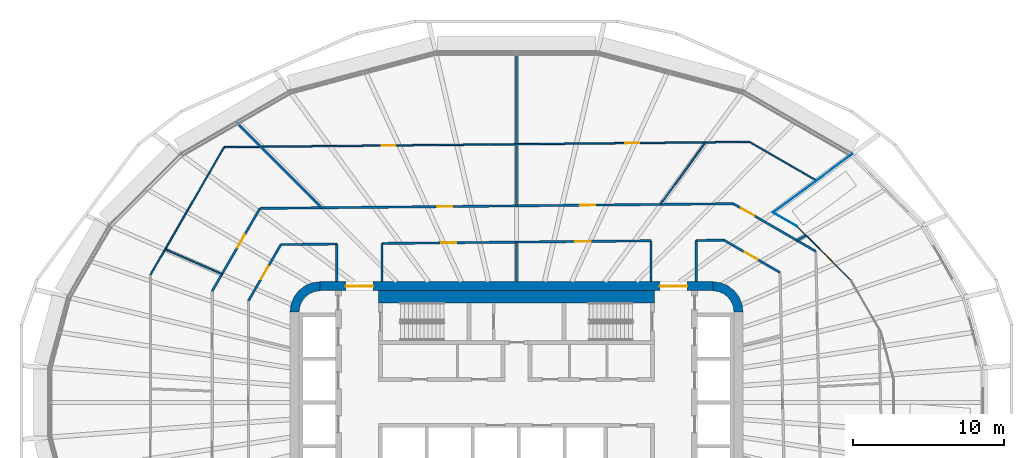
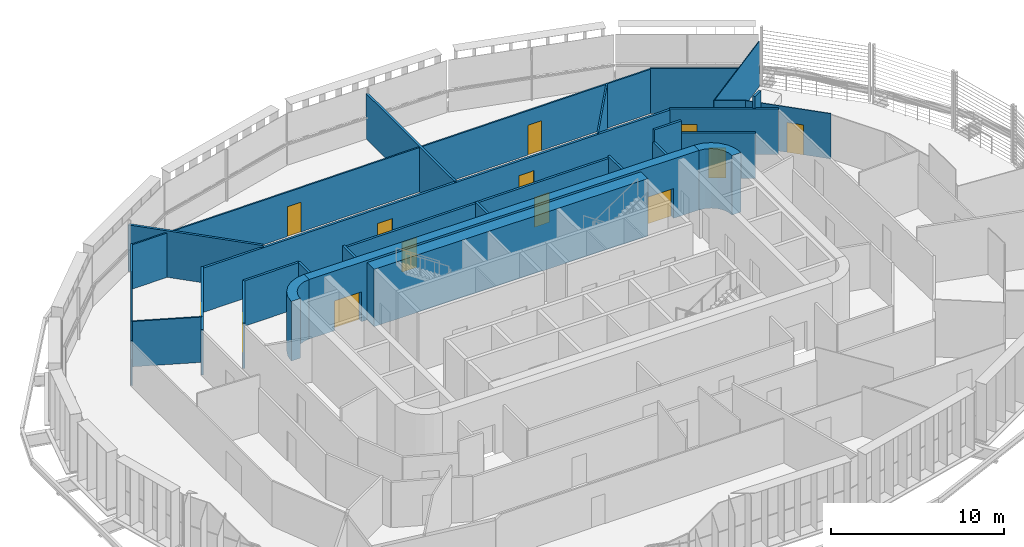
# One storey, part 16 of 24: 28 walls, 13 doors, 13 openings.
"""IFC4 building model written with IfcOpenShell, lengths in metres."""

import ifcopenshell
import ifcopenshell.guid

model = None  # the IFC model being written
_history = None  # IfcOwnerHistory: only IFC2X3 demands one
_inside = {}  # id of a spatial element -> (the spatial element, [elements in it])
_under = {}  # id of a project, library or spatial element -> (it, [spatial elements below it])
_declared = {}  # id of a project -> (the project, [libraries it declares])
_typed = {}  # id of a type object -> (the type object, [elements of that type])
_made_of = {}  # id of a material, layer set ... -> (it, [elements and type objects made of it])


def new_model(schema):
    """Start an empty IFC model of exactly this schema.

    Asked for "IFC4X3", IfcOpenShell would pick the latest addendum, in which some entities
    have other attributes; the version numbers below select the first issue.
    IFC2X3 requires an IfcOwnerHistory on every rooted entity: one is made here for all.
    """
    global model, _history
    if schema == "IFC4X3":
        model = ifcopenshell.file(schema_version=(4, 3, 0, 0))
    else:
        model = ifcopenshell.file(schema=schema)
    _inside.clear()
    _under.clear()
    _declared.clear()
    _typed.clear()
    _made_of.clear()
    _history = None
    if model.schema == "IFC2X3":
        org = make("IfcOrganization", Name="unknown")
        user = make(
            "IfcPersonAndOrganization",
            ThePerson=make("IfcPerson", FamilyName="unknown"),
            TheOrganization=org,
        )
        app = make(
            "IfcApplication",
            ApplicationDeveloper=org,
            Version="unknown",
            ApplicationFullName="unknown",
            ApplicationIdentifier="unknown",
        )
        _history = make(
            "IfcOwnerHistory",
            OwningUser=user,
            OwningApplication=app,
            ChangeAction="ADDED",
            CreationDate=0,
        )
    return model


def make(cls, **values):
    """One entity of the class cls with the attributes given. An attribute that is None is left unset."""
    return model.create_entity(
        cls, **{name: value for name, value in values.items() if value is not None}
    )


def rooted(cls, **values):
    """An entity with a GlobalId (a new one), such as an element, a storey or a relation."""
    return make(cls, GlobalId=ifcopenshell.guid.new(), OwnerHistory=_history, **values)


def si_unit(unit_type, name, prefix=None):
    """IfcSIUnit, for example si_unit("LENGTHUNIT", "METRE", prefix="MILLI")."""
    return make("IfcSIUnit", UnitType=unit_type, Prefix=prefix, Name=name)


def assignment(units):
    """IfcUnitAssignment: the units of a project."""
    return None if units is None else make("IfcUnitAssignment", Units=units)


def point(xyz):
    """IfcCartesianPoint."""
    return None if xyz is None else make("IfcCartesianPoint", Coordinates=xyz)


def direction(xyz):
    """IfcDirection."""
    return None if xyz is None else make("IfcDirection", DirectionRatios=xyz)


def frame(location, z_axis=None, x_axis=None):
    """IfcAxis2Placement3D, a coordinate frame: its origin and axes. An axis left out is left unset."""
    return make(
        "IfcAxis2Placement3D",
        Location=point(location),
        Axis=direction(z_axis),
        RefDirection=direction(x_axis),
    )


def frame_2d(location, x_axis=None):
    """IfcAxis2Placement2D, a coordinate frame in the plane: its origin and x axis."""
    return make(
        "IfcAxis2Placement2D", Location=point(location), RefDirection=direction(x_axis)
    )


def origin():
    """The frame at (0, 0, 0) with its axes left unset."""
    return frame((0.0, 0.0, 0.0))


def place(relative_to, where):
    """IfcLocalPlacement: puts the frame where relative to a parent placement (None: the world)."""
    return make(
        "IfcLocalPlacement", PlacementRelTo=relative_to, RelativePlacement=where
    )


def context(
    kind, dimensions, precision=None, world=None, true_north=None, identifier=None
):
    """IfcGeometricRepresentationContext, for example the 3D "Model" context."""
    return make(
        "IfcGeometricRepresentationContext",
        ContextIdentifier=identifier,
        ContextType=kind,
        CoordinateSpaceDimension=dimensions,
        Precision=precision,
        WorldCoordinateSystem=world,
        TrueNorth=true_north,
    )


def subcontext(parent, identifier, kind, view, scale=None):
    """IfcGeometricRepresentationSubContext, for example "Body" below "Model"."""
    return make(
        "IfcGeometricRepresentationSubContext",
        ContextIdentifier=identifier,
        ContextType=kind,
        ParentContext=parent,
        TargetScale=scale,
        TargetView=view,
    )


def project(units=None, contexts=None):
    """IfcProject with its units and contexts."""
    return rooted(
        "IfcProject",
        Name="project",
        RepresentationContexts=contexts,
        UnitsInContext=assignment(units),
    )


def spatial(cls, under=None, at=None, **own):
    """A site, building, storey or space (cls), placed at a placement, below another one or the project."""
    s = rooted(cls, ObjectPlacement=at, **own)
    if under is not None:
        _under.setdefault(under.id(), (under, []))[1].append(s)
    return s


def polyline(points):
    """IfcPolyline through the points."""
    return make("IfcPolyline", Points=[point(p) for p in points])


def profile(cls, at=None, kind="AREA", **sizes):
    """A parametric profile (cls). Its sizes go by their IFC names, for example OverallWidth=200.0."""
    return make(cls, ProfileType=kind, Position=at, **sizes)


def rectangle(**sizes):
    """IfcRectangleProfileDef."""
    return profile("IfcRectangleProfileDef", **sizes)


def outline(outer, holes=None, kind="AREA"):
    """IfcArbitraryClosedProfileDef: a profile drawn as a closed curve; with holes, ...WithVoids."""
    if holes is None:
        return make("IfcArbitraryClosedProfileDef", ProfileType=kind, OuterCurve=outer)
    return make(
        "IfcArbitraryProfileDefWithVoids",
        ProfileType=kind,
        OuterCurve=outer,
        InnerCurves=holes,
    )


def extrude(swept, where, along, depth):
    """IfcExtrudedAreaSolid: the profile swept, set in the frame where, extruded along a direction by depth."""
    return make(
        "IfcExtrudedAreaSolid",
        SweptArea=swept,
        Position=where,
        ExtrudedDirection=direction(along),
        Depth=depth,
    )


def shape(context_of_items, identifier, shape_type, items):
    """IfcShapeRepresentation: the items that make up one representation, for example the "Body"."""
    return make(
        "IfcShapeRepresentation",
        ContextOfItems=context_of_items,
        RepresentationIdentifier=identifier,
        RepresentationType=shape_type,
        Items=items,
    )


def material(Name=None, Category=None):
    """IfcMaterial."""
    return make("IfcMaterial", Name=Name, Category=Category)


def layer(
    of_material, thickness, ventilated=None, Name=None, Category=None, Priority=None
):
    """IfcMaterialLayer: one layer of a wall or slab, of a material (None: an air gap)."""
    return make(
        "IfcMaterialLayer",
        Material=of_material,
        LayerThickness=thickness,
        IsVentilated=ventilated,
        Name=Name,
        Category=Category,
        Priority=Priority,
    )


def layer_set(layers, Name=None):
    """IfcMaterialLayerSet."""
    return make("IfcMaterialLayerSet", MaterialLayers=layers, LayerSetName=Name)


def made_of(thing, what):
    """Note that an element or type object is made of a material, layer set ...; save() writes the relation."""
    if what is not None:
        _made_of.setdefault(what.id(), (what, []))[1].append(thing)
    return thing


def type_object(cls, material=None, **own):
    """A type object (cls), such as IfcWallType, which elements share."""
    return made_of(rooted(cls, **own), material)


def element(
    cls,
    number,
    at=None,
    inside=None,
    cuts=None,
    type_object=None,
    material=None,
    context=None,
    identifier="Body",
    shape_type=None,
    held_by="IfcProductDefinitionShape",
    body=None,
    shapes=None,
    **own,
):
    """One element of the class cls, such as IfcWall. Its Tag is "e" and its number.

    at: its placement. inside: the storey or other place that contains it. cuts: it is an
    opening in that element (IfcRelVoidsElement). A single representation is given by context,
    identifier, shape_type and body (its items); several are given by shapes. held_by: the class
    of the entity that holds the representations. save() writes the other relations.
    """
    e = rooted(cls, Tag="e%d" % number, ObjectPlacement=at, **own)
    if body is not None:
        shapes = [shape(context, identifier, shape_type, body)]
    if shapes is not None:
        e.Representation = make(held_by, Representations=shapes)
    if inside is not None:
        _inside.setdefault(inside.id(), (inside, []))[1].append(e)
    if cuts is not None:
        rooted(
            "IfcRelVoidsElement", RelatingBuildingElement=cuts, RelatedOpeningElement=e
        )
    if type_object is not None:
        _typed.setdefault(type_object.id(), (type_object, []))[1].append(e)
    return made_of(e, material)


def fill(opening, filler):
    """IfcRelFillsElement: the door or window that sits in an opening."""
    return rooted(
        "IfcRelFillsElement",
        RelatingOpeningElement=opening,
        RelatedBuildingElement=filler,
    )


def aggregate(whole, parts):
    """IfcRelAggregates: a whole, such as a stair, and the parts it consists of."""
    return rooted("IfcRelAggregates", RelatingObject=whole, RelatedObjects=parts)


def save(model, path):
    """Write the relations noted so far, then the file.

    IfcRelAggregates (storeys below a building ...), IfcRelContainedInSpatialStructure (elements
    in a storey), IfcRelDefinesByType, IfcRelAssociatesMaterial and IfcRelDeclares: one each for
    every whole, place, type object, material and project.
    """
    for whole, parts in _under.values():
        aggregate(whole, parts)
    for where, things in _inside.values():
        rooted(
            "IfcRelContainedInSpatialStructure",
            RelatedElements=things,
            RelatingStructure=where,
        )
    for kind, things in _typed.values():
        rooted("IfcRelDefinesByType", RelatedObjects=things, RelatingType=kind)
    for what, things in _made_of.values():
        rooted("IfcRelAssociatesMaterial", RelatedObjects=things, RelatingMaterial=what)
    for by, libraries in _declared.values():
        rooted("IfcRelDeclares", RelatingContext=by, RelatedDefinitions=libraries)
    model.write(path)


model = new_model("IFC4")

# Units and contexts
model_context = context("Model", 3, precision=1e-05, world=origin(), true_north=direction((0.0, 1.0)))
body_context = subcontext(model_context, "Body", "Model", "MODEL_VIEW")
ifc_project = project(units=[si_unit("LENGTHUNIT", "METRE"), si_unit("AREAUNIT", "SQUARE_METRE"), si_unit("VOLUMEUNIT", "CUBIC_METRE"), si_unit("PLANEANGLEUNIT", "RADIAN"), si_unit("MASSUNIT", "GRAM", prefix="KILO")], contexts=[model_context])

# Site, building, storey
site_placement = place(None, origin())
site = spatial("IfcSite", under=ifc_project, at=site_placement, CompositionType="ELEMENT")
building_placement = place(site_placement, origin())
building = spatial("IfcBuilding", under=site, at=building_placement, Name="Sahrelin Media Tower", CompositionType="ELEMENT")
storey_placement = place(building_placement, frame((0.0, 0.0, 67.199951171875)))
storey = spatial("IfcBuildingStorey", under=building, at=storey_placement, Name="L11", CompositionType="ELEMENT", Elevation=67.199951171875)

# Wall, openings, doors
ifc_material_1 = material(Name="Concrete C60/75", Category="concrete")
ifc_layer_1 = layer(ifc_material_1, 0.60009765625)
ifc_layer_set_1 = layer_set([ifc_layer_1], Name="Core wall 600")
wall_type_1 = type_object("IfcWallType", Name="Core wall 600", PredefinedType="SHEAR", material=ifc_layer_set_1)
wall_1_placement = place(storey_placement, frame((-13.0, 7.699951171875, 0.0), z_axis=(0.0, 0.0, 1.0), x_axis=(1.0, 0.0, 0.0)))
wall_1 = element("IfcWall", 1, at=wall_1_placement, inside=storey, type_object=wall_type_1, Name="Core wall N L11", PredefinedType="SHEAR", context=body_context, shape_type="SweptSolid", body=[
    extrude(rectangle(XDim=26.0, YDim=0.60009765625, at=frame_2d((13.0, 0.0))), origin(), (0.0, 0.0, 1.0), 4.199951171875),
])
opening_1_placement = place(wall_1_placement, frame((1.699951171875, 0.0, 0.0)))
opening_1 = element("IfcOpeningElement", 2, at=opening_1_placement, cuts=wall_1, Name="Opening L11-D19", PredefinedType="OPENING", context=body_context, shape_type="SweptSolid", body=[
    extrude(rectangle(XDim=1.800048828125, YDim=2.10009765625, at=frame_2d((0.89990234375, 1.050048828125))), frame((0.0, 0.300048828125, 0.0), z_axis=(0.0, -1.0, 0.0), x_axis=(1.0, 0.0, 0.0)), (0.0, 0.0, 1.0), 0.60009765625),
])
opening_2_placement = place(wall_1_placement, frame((22.5, 0.0, 0.0)))
opening_2 = element("IfcOpeningElement", 3, at=opening_2_placement, cuts=wall_1, Name="Opening L11-D20", PredefinedType="OPENING", context=body_context, shape_type="SweptSolid", body=[
    extrude(rectangle(XDim=1.800048828125, YDim=2.10009765625, at=frame_2d((0.89990234375, 1.050048828125))), frame((0.0, 0.300048828125, 0.0), z_axis=(0.0, -1.0, 0.0), x_axis=(1.0, 0.0, 0.0)), (0.0, 0.0, 1.0), 0.60009765625),
])
ifc_material_2 = material(Name="Steel fire door leaf", Category="steel")
door_type_1 = type_object("IfcDoorType", Name="Lobby double door 1800 x 2100 EI 60", OperationType="DOUBLE_DOOR_SINGLE_SWING", PredefinedType="DOOR", material=ifc_material_2)
door_1_placement = place(opening_1_placement, origin())
door_1 = element("IfcDoor", 4, at=door_1_placement, inside=storey, type_object=door_type_1, Name="Lobby door", OperationType="DOUBLE_DOOR_SINGLE_SWING", OverallHeight=2.10009765625, OverallWidth=1.800048828125, PredefinedType="DOOR", context=body_context, shape_type="SweptSolid", body=[
    extrude(rectangle(XDim=1.800048828125, YDim=2.10009765625, at=frame_2d((0.89990234375, 1.050048828125))), frame((0.0, 0.02490234375, 0.0), z_axis=(0.0, -1.0, 0.0), x_axis=(1.0, 0.0, 0.0)), (0.0, 0.0, 1.0), 0.050048828125),
])
fill(opening_1, door_1)
door_2_placement = place(opening_2_placement, origin())
door_2 = element("IfcDoor", 5, at=door_2_placement, inside=storey, type_object=door_type_1, Name="Lobby door", OperationType="DOUBLE_DOOR_SINGLE_SWING", OverallHeight=2.10009765625, OverallWidth=1.800048828125, PredefinedType="DOOR", context=body_context, shape_type="SweptSolid", body=[
    extrude(rectangle(XDim=1.800048828125, YDim=2.10009765625, at=frame_2d((0.89990234375, 1.050048828125))), frame((0.0, 0.02490234375, 0.0), z_axis=(0.0, -1.0, 0.0), x_axis=(1.0, 0.0, 0.0)), (0.0, 0.0, 1.0), 0.050048828125),
])
fill(opening_2, door_2)

# Walls
placement = place(storey_placement, origin())
element("IfcWall", 6, at=placement, inside=storey, type_object=wall_type_1, Name="Core wall corner NE L11", PredefinedType="SHEAR", context=body_context, shape_type="SweptSolid", body=[
    extrude(outline(polyline([(13.0, 8.0), (13.0, 7.394775390625), (13.361083984375, 7.347412109375), (13.697509765625, 7.2080078125), (13.986328125, 6.986328125), (14.2080078125, 6.697509765625), (14.347412109375, 6.361083984375), (14.394775390625, 6.0), (15.0, 6.0), (14.931884765625, 6.517578125), (14.732177734375, 7.0), (14.414306640625, 7.414306640625), (14.0, 7.732177734375), (13.517578125, 7.931884765625), (13.0, 8.0)])), origin(), (0.0, 0.0, 1.0), 4.199951171875),
])
element("IfcWall", 7, at=placement, inside=storey, type_object=wall_type_1, Name="Core wall corner NW L11", PredefinedType="SHEAR", context=body_context, shape_type="SweptSolid", body=[
    extrude(outline(polyline([(-15.0, 6.0), (-14.394775390625, 6.0), (-14.347412109375, 6.361083984375), (-14.2080078125, 6.697509765625), (-13.986328125, 6.986328125), (-13.697509765625, 7.2080078125), (-13.361083984375, 7.347412109375), (-13.0, 7.394775390625), (-13.0, 8.0), (-13.517578125, 7.931884765625), (-14.0, 7.732177734375), (-14.414306640625, 7.414306640625), (-14.732177734375, 7.0), (-14.931884765625, 6.517578125), (-15.0, 6.0)])), origin(), (0.0, 0.0, 1.0), 4.199951171875),
])
ifc_material_3 = material(Name="Fire-rated gypsum board partition")
ifc_layer_2 = layer(ifc_material_3, 0.14990234375)
ifc_layer_set_2 = layer_set([ifc_layer_2], Name="Fire-rated partition 150")
wall_type_2 = type_object("IfcWallType", Name="Fire-rated partition 150", PredefinedType="PARTITIONING", material=ifc_layer_set_2)
wall_4_placement = place(storey_placement, frame((-18.583984375, 18.583984375, 0.0), z_axis=(0.0, 0.0, 1.0), x_axis=(0.707106781187, -0.707106781187, 0.0)))
element("IfcWall", 8, at=wall_4_placement, inside=storey, type_object=wall_type_2, Name="Wall", PredefinedType="PARTITIONING", context=body_context, shape_type="SweptSolid", body=[
    extrude(rectangle(XDim=8.046875, YDim=0.14990234375, at=frame_2d((4.0234375, 0.0))), origin(), (0.0, 0.0, 1.0), 3.276123046875),
])

# Wall, opening, door
wall_5_placement = place(storey_placement, frame((13.72412109375, 10.757080078125, 0.0), z_axis=(0.0, 0.0, 1.0), x_axis=(0.86594264414, -0.500143316521, 0.0)))
wall_5 = element("IfcWall", 9, at=wall_5_placement, inside=storey, type_object=wall_type_2, Name="Wall", PredefinedType="PARTITIONING", context=body_context, shape_type="SweptSolid", body=[
    extrude(rectangle(XDim=4.301513671875, YDim=0.14990234375, at=frame_2d((2.15087890625, 0.0))), origin(), (0.0, 0.0, 1.0), 3.195068359375),
])
opening_3_placement = place(wall_5_placement, frame((1.6015625, 0.0, 0.0)))
opening_3 = element("IfcOpeningElement", 10, at=opening_3_placement, cuts=wall_5, Name="Opening L11-D27", PredefinedType="OPENING", context=body_context, shape_type="SweptSolid", body=[
    extrude(rectangle(XDim=1.0, YDim=2.10009765625, at=frame_2d((0.5, 1.050048828125))), frame((0.0, 0.074951171875, 0.0), z_axis=(0.0, -1.0, 0.0), x_axis=(1.0, 0.0, 0.0)), (0.0, 0.0, 1.0), 0.14990234375),
])
door_type_2 = type_object("IfcDoorType", Name="Fire door 1000 x 2100 EI 60", OperationType="NOTDEFINED", PredefinedType="DOOR", material=ifc_material_2)
door_3_placement = place(opening_3_placement, origin())
door_3 = element("IfcDoor", 11, at=door_3_placement, inside=storey, type_object=door_type_2, Name="Fire door", OperationType="SINGLE_SWING_LEFT", OverallHeight=2.10009765625, OverallWidth=1.0, PredefinedType="DOOR", context=body_context, shape_type="SweptSolid", body=[
    extrude(rectangle(XDim=1.0, YDim=2.10009765625, at=frame_2d((0.5, 1.050048828125))), frame((0.0, 0.02490234375, 0.0), z_axis=(0.0, -1.0, 0.0), x_axis=(1.0, 0.0, 0.0)), (0.0, 0.0, 1.0), 0.050048828125),
])
fill(opening_3, door_3)

wall_6_placement = place(storey_placement, frame((14.35595703125, 13.1640625, 0.0), z_axis=(0.0, 0.0, 1.0), x_axis=(0.865974907157, -0.500087452527, 0.0)))
wall_6 = element("IfcWall", 12, at=wall_6_placement, inside=storey, type_object=wall_type_2, Name="Wall", PredefinedType="PARTITIONING", context=body_context, shape_type="SweptSolid", body=[
    extrude(rectangle(XDim=6.310791015625, YDim=0.14990234375, at=frame_2d((3.1552734375, 0.0))), origin(), (0.0, 0.0, 1.0), 3.195068359375),
])
opening_4_placement = place(wall_6_placement, frame((0.6005859375, 0.0, 0.0)))
opening_4 = element("IfcOpeningElement", 13, at=opening_4_placement, cuts=wall_6, Name="Opening L11-D51", PredefinedType="OPENING", context=body_context, shape_type="SweptSolid", body=[
    extrude(rectangle(XDim=1.0, YDim=2.10009765625, at=frame_2d((0.5, 1.050048828125))), frame((0.0, 0.074951171875, 0.0), z_axis=(0.0, -1.0, 0.0), x_axis=(1.0, 0.0, 0.0)), (0.0, 0.0, 1.0), 0.14990234375),
])
door_4_placement = place(opening_4_placement, origin())
door_4 = element("IfcDoor", 14, at=door_4_placement, inside=storey, type_object=door_type_2, Name="Fire door", OperationType="SINGLE_SWING_LEFT", OverallHeight=2.10009765625, OverallWidth=1.0, PredefinedType="DOOR", context=body_context, shape_type="SweptSolid", body=[
    extrude(rectangle(XDim=1.0, YDim=2.10009765625, at=frame_2d((0.5, 1.050048828125))), frame((0.0, 0.02490234375, 0.0), z_axis=(0.0, -1.0, 0.0), x_axis=(1.0, 0.0, 0.0)), (0.0, 0.0, 1.0), 0.050048828125),
])
fill(opening_4, door_4)

# Wall
wall_7_placement = place(storey_placement, frame((-15.596923828125, 10.4560546875, 0.0), z_axis=(0.0, 0.0, 1.0), x_axis=(0.999950943482, 0.009905080996, 0.0)))
element("IfcWall", 15, at=wall_7_placement, inside=storey, type_object=wall_type_2, Name="Wall", PredefinedType="PARTITIONING", context=body_context, shape_type="SweptSolid", body=[
    extrude(rectangle(XDim=3.697265625, YDim=0.14990234375, at=frame_2d((1.8486328125, 0.0))), origin(), (0.0, 0.0, 1.0), 3.195068359375),
])

# Wall, openings, doors
wall_8_placement = place(storey_placement, frame((-8.89990234375, 10.531982421875, 0.0), z_axis=(0.0, 0.0, 1.0), x_axis=(0.999950834077, 0.009916119672, 0.0)))
wall_8 = element("IfcWall", 16, at=wall_8_placement, inside=storey, type_object=wall_type_2, Name="Wall", PredefinedType="PARTITIONING", context=body_context, shape_type="SweptSolid", body=[
    extrude(rectangle(XDim=17.80078125, YDim=0.14990234375, at=frame_2d((8.900390625, 0.0))), origin(), (0.0, 0.0, 1.0), 3.126953125),
])
opening_5_placement = place(wall_8_placement, frame((12.80029296875, 0.0, 0.0)))
opening_5 = element("IfcOpeningElement", 17, at=opening_5_placement, cuts=wall_8, Name="Opening L11-D28", PredefinedType="OPENING", context=body_context, shape_type="SweptSolid", body=[
    extrude(rectangle(XDim=1.0, YDim=2.10009765625, at=frame_2d((0.5, 1.050048828125))), frame((0.0, 0.074951171875, 0.0), z_axis=(0.0, -1.0, 0.0), x_axis=(1.0, 0.0, 0.0)), (0.0, 0.0, 1.0), 0.14990234375),
])
opening_6_placement = place(wall_8_placement, frame((3.901123046875, 0.0, 0.0)))
opening_6 = element("IfcOpeningElement", 18, at=opening_6_placement, cuts=wall_8, Name="Opening L11-D29", PredefinedType="OPENING", context=body_context, shape_type="SweptSolid", body=[
    extrude(rectangle(XDim=1.0, YDim=2.10009765625, at=frame_2d((0.5, 1.050048828125))), frame((0.0, 0.074951171875, 0.0), z_axis=(0.0, -1.0, 0.0), x_axis=(1.0, 0.0, 0.0)), (0.0, 0.0, 1.0), 0.14990234375),
])
door_5_placement = place(opening_5_placement, origin())
door_5 = element("IfcDoor", 19, at=door_5_placement, inside=storey, type_object=door_type_2, Name="Fire door", OperationType="SINGLE_SWING_LEFT", OverallHeight=2.10009765625, OverallWidth=1.0, PredefinedType="DOOR", context=body_context, shape_type="SweptSolid", body=[
    extrude(rectangle(XDim=1.0, YDim=2.10009765625, at=frame_2d((0.5, 1.050048828125))), frame((0.0, 0.02490234375, 0.0), z_axis=(0.0, -1.0, 0.0), x_axis=(1.0, 0.0, 0.0)), (0.0, 0.0, 1.0), 0.050048828125),
])
fill(opening_5, door_5)
door_6_placement = place(opening_6_placement, origin())
door_6 = element("IfcDoor", 20, at=door_6_placement, inside=storey, type_object=door_type_2, Name="Fire door", OperationType="SINGLE_SWING_RIGHT", OverallHeight=2.10009765625, OverallWidth=1.0, PredefinedType="DOOR", context=body_context, shape_type="SweptSolid", body=[
    extrude(rectangle(XDim=1.0, YDim=2.10009765625, at=frame_2d((0.5, 1.050048828125))), frame((0.0, 0.02490234375, 0.0), z_axis=(0.0, -1.0, 0.0), x_axis=(1.0, 0.0, 0.0)), (0.0, 0.0, 1.0), 0.050048828125),
])
fill(opening_6, door_6)

# Wall
wall_9_placement = place(storey_placement, frame((11.89990234375, 10.728271484375, 0.0), z_axis=(0.0, 0.0, 1.0), x_axis=(0.999950962562, 0.009903154608, 0.0)))
element("IfcWall", 21, at=wall_9_placement, inside=storey, type_object=wall_type_2, Name="Wall", PredefinedType="PARTITIONING", context=body_context, shape_type="SweptSolid", body=[
    extrude(rectangle(XDim=1.82421875, YDim=0.14990234375, at=frame_2d((0.912109375, 0.0))), origin(), (0.0, 0.0, 1.0), 4.050048828125),
])

# Wall, openings, doors
wall_10_placement = place(storey_placement, frame((-16.989990234375, 12.85302734375, 0.0), z_axis=(0.0, 0.0, 1.0), x_axis=(0.999950928474, 0.009906596006, 0.0)))
wall_10 = element("IfcWall", 22, at=wall_10_placement, inside=storey, type_object=wall_type_2, Name="Wall", PredefinedType="PARTITIONING", context=body_context, shape_type="SweptSolid", body=[
    extrude(rectangle(XDim=31.347412109375, YDim=0.14990234375, at=frame_2d((15.673828125, 0.0))), origin(), (0.0, 0.0, 1.0), 3.126953125),
])
opening_7_placement = place(wall_10_placement, frame((21.20458984375, 0.0, 0.0)))
opening_7 = element("IfcOpeningElement", 23, at=opening_7_placement, cuts=wall_10, Name="Opening L11-D52", PredefinedType="OPENING", context=body_context, shape_type="SweptSolid", body=[
    extrude(rectangle(XDim=1.0, YDim=2.10009765625, at=frame_2d((0.5, 1.050048828125))), frame((0.0, 0.074951171875, 0.0), z_axis=(0.0, -1.0, 0.0), x_axis=(1.0, 0.0, 0.0)), (0.0, 0.0, 1.0), 0.14990234375),
])
opening_8_placement = place(wall_10_placement, frame((11.73583984375, 0.0, 0.0)))
opening_8 = element("IfcOpeningElement", 24, at=opening_8_placement, cuts=wall_10, Name="Opening L11-D54", PredefinedType="OPENING", context=body_context, shape_type="SweptSolid", body=[
    extrude(rectangle(XDim=1.0, YDim=2.10009765625, at=frame_2d((0.5, 1.050048828125))), frame((0.0, 0.074951171875, 0.0), z_axis=(0.0, -1.0, 0.0), x_axis=(1.0, 0.0, 0.0)), (0.0, 0.0, 1.0), 0.14990234375),
])
door_7_placement = place(opening_7_placement, origin())
door_7 = element("IfcDoor", 25, at=door_7_placement, inside=storey, type_object=door_type_2, Name="Fire door", OperationType="SINGLE_SWING_LEFT", OverallHeight=2.10009765625, OverallWidth=1.0, PredefinedType="DOOR", context=body_context, shape_type="SweptSolid", body=[
    extrude(rectangle(XDim=1.0, YDim=2.10009765625, at=frame_2d((0.5, 1.050048828125))), frame((0.0, 0.02490234375, 0.0), z_axis=(0.0, -1.0, 0.0), x_axis=(1.0, 0.0, 0.0)), (0.0, 0.0, 1.0), 0.050048828125),
])
fill(opening_7, door_7)
door_8_placement = place(opening_8_placement, origin())
door_8 = element("IfcDoor", 26, at=door_8_placement, inside=storey, type_object=door_type_2, Name="Fire door", OperationType="SINGLE_SWING_LEFT", OverallHeight=2.10009765625, OverallWidth=1.0, PredefinedType="DOOR", context=body_context, shape_type="SweptSolid", body=[
    extrude(rectangle(XDim=1.0, YDim=2.10009765625, at=frame_2d((0.5, 1.050048828125))), frame((0.0, 0.02490234375, 0.0), z_axis=(0.0, -1.0, 0.0), x_axis=(1.0, 0.0, 0.0)), (0.0, 0.0, 1.0), 0.050048828125),
])
fill(opening_8, door_8)

# Wall
wall_11_placement = place(storey_placement, frame((18.577880859375, 10.72607421875, 0.0), z_axis=(0.0, 0.0, 1.0), x_axis=(0.866203514255, 0.499691376644, 0.0)))
element("IfcWall", 27, at=wall_11_placement, inside=storey, type_object=wall_type_2, Name="Wall", PredefinedType="PARTITIONING", context=body_context, shape_type="SweptSolid", body=[
    extrude(rectangle(XDim=0.68017578125, YDim=0.14990234375, at=frame_2d((0.340087890625, 0.0))), origin(), (0.0, 0.0, 1.0), 4.050048828125),
])

# Wall, opening, door
wall_12_placement = place(storey_placement, frame((-17.75, 6.737060546875, 0.0), z_axis=(0.0, 0.0, 1.0), x_axis=(0.500038958046, 0.866002910178, 0.0)))
wall_12 = element("IfcWall", 28, at=wall_12_placement, inside=storey, type_object=wall_type_2, Name="Wall", PredefinedType="PARTITIONING", context=body_context, shape_type="SweptSolid", body=[
    extrude(rectangle(XDim=4.295654296875, YDim=0.14990234375, at=frame_2d((2.14794921875, 0.0))), origin(), (0.0, 0.0, 1.0), 3.195068359375),
])
opening_9_placement = place(wall_12_placement, frame((1.647216796875, 0.0, 0.0)))
opening_9 = element("IfcOpeningElement", 29, at=opening_9_placement, cuts=wall_12, Name="Opening L11-D30", PredefinedType="OPENING", context=body_context, shape_type="SweptSolid", body=[
    extrude(rectangle(XDim=1.0, YDim=2.10009765625, at=frame_2d((0.5, 1.050048828125))), frame((0.0, 0.074951171875, 0.0), z_axis=(0.0, -1.0, 0.0), x_axis=(1.0, 0.0, 0.0)), (0.0, 0.0, 1.0), 0.14990234375),
])
door_9_placement = place(opening_9_placement, origin())
door_9 = element("IfcDoor", 30, at=door_9_placement, inside=storey, type_object=door_type_2, Name="Fire door", OperationType="SINGLE_SWING_RIGHT", OverallHeight=2.10009765625, OverallWidth=1.0, PredefinedType="DOOR", context=body_context, shape_type="SweptSolid", body=[
    extrude(rectangle(XDim=1.0, YDim=2.10009765625, at=frame_2d((0.5, 1.050048828125))), frame((0.0, 0.02490234375, 0.0), z_axis=(0.0, -1.0, 0.0), x_axis=(1.0, 0.0, 0.0)), (0.0, 0.0, 1.0), 0.050048828125),
])
fill(opening_9, door_9)

wall_13_placement = place(storey_placement, frame((-20.14990234375, 7.3798828125, 0.0), z_axis=(0.0, 0.0, 1.0), x_axis=(0.499998889324, 0.866026045033, 0.0)))
wall_13 = element("IfcWall", 31, at=wall_13_placement, inside=storey, type_object=wall_type_2, Name="Wall", PredefinedType="PARTITIONING", context=body_context, shape_type="SweptSolid", body=[
    extrude(rectangle(XDim=6.31982421875, YDim=0.14990234375, at=frame_2d((3.159912109375, 0.0))), origin(), (0.0, 0.0, 1.0), 3.195068359375),
])
opening_10_placement = place(wall_13_placement, frame((3.311767578125, 0.0, 0.0)))
opening_10 = element("IfcOpeningElement", 32, at=opening_10_placement, cuts=wall_13, Name="Opening L11-D33", PredefinedType="OPENING", context=body_context, shape_type="SweptSolid", body=[
    extrude(rectangle(XDim=1.0, YDim=2.10009765625, at=frame_2d((0.5, 1.050048828125))), frame((0.0, 0.074951171875, 0.0), z_axis=(0.0, -1.0, 0.0), x_axis=(1.0, 0.0, 0.0)), (0.0, 0.0, 1.0), 0.14990234375),
])
door_10_placement = place(opening_10_placement, origin())
door_10 = element("IfcDoor", 33, at=door_10_placement, inside=storey, type_object=door_type_2, Name="Fire door", OperationType="SINGLE_SWING_LEFT", OverallHeight=2.10009765625, OverallWidth=1.0, PredefinedType="DOOR", context=body_context, shape_type="SweptSolid", body=[
    extrude(rectangle(XDim=1.0, YDim=2.10009765625, at=frame_2d((0.5, 1.050048828125))), frame((0.0, 0.02490234375, 0.0), z_axis=(0.0, -1.0, 0.0), x_axis=(1.0, 0.0, 0.0)), (0.0, 0.0, 1.0), 0.050048828125),
])
fill(opening_10, door_10)

# Walls
wall_14_placement = place(storey_placement, frame((11.89990234375, 8.0, 0.0), z_axis=(0.0, 0.0, 1.0), x_axis=(0.0, 1.0, 0.0)))
element("IfcWall", 34, at=wall_14_placement, inside=storey, type_object=wall_type_2, Name="Wall", PredefinedType="PARTITIONING", context=body_context, shape_type="SweptSolid", body=[
    extrude(rectangle(XDim=2.72802734375, YDim=0.14990234375, at=frame_2d((1.364013671875, 0.0))), origin(), (0.0, 0.0, 1.0), 3.195068359375),
])
wall_15_placement = place(storey_placement, frame((8.89990234375, 8.0, 0.0), z_axis=(0.0, 0.0, 1.0), x_axis=(0.0, 1.0, 0.0)))
element("IfcWall", 35, at=wall_15_placement, inside=storey, type_object=wall_type_2, Name="Wall", PredefinedType="PARTITIONING", context=body_context, shape_type="SweptSolid", body=[
    extrude(rectangle(XDim=2.708984375, YDim=0.14990234375, at=frame_2d((1.3544921875, 0.0))), origin(), (0.0, 0.0, 1.0), 3.276123046875),
])
wall_16_placement = place(storey_placement, frame((0.0, 8.0, 0.0), z_axis=(0.0, 0.0, 1.0), x_axis=(0.0, 1.0, 0.0)))
element("IfcWall", 36, at=wall_16_placement, inside=storey, type_object=wall_type_2, Name="Wall", PredefinedType="PARTITIONING", context=body_context, shape_type="SweptSolid", body=[
    extrude(rectangle(XDim=2.62109375, YDim=0.14990234375, at=frame_2d((1.310546875, 0.0))), origin(), (0.0, 0.0, 1.0), 3.195068359375),
])
wall_17_placement = place(storey_placement, frame((0.0, 13.02197265625, 0.0), z_axis=(0.0, 0.0, 1.0), x_axis=(0.0, 1.0, 0.0)))
element("IfcWall", 37, at=wall_17_placement, inside=storey, type_object=wall_type_2, Name="Wall", PredefinedType="PARTITIONING", context=body_context, shape_type="SweptSolid", body=[
    extrude(rectangle(XDim=10.200927734375, YDim=0.14990234375, at=frame_2d((5.1005859375, 0.0))), origin(), (0.0, 0.0, 1.0), 3.195068359375),
])
wall_18_placement = place(storey_placement, frame((-8.89990234375, 8.0, 0.0), z_axis=(0.0, 0.0, 1.0), x_axis=(0.0, 1.0, 0.0)))
element("IfcWall", 38, at=wall_18_placement, inside=storey, type_object=wall_type_2, Name="Wall", PredefinedType="PARTITIONING", context=body_context, shape_type="SweptSolid", body=[
    extrude(rectangle(XDim=2.531982421875, YDim=0.14990234375, at=frame_2d((1.26611328125, 0.0))), origin(), (0.0, 0.0, 1.0), 3.276123046875),
])
wall_19_placement = place(storey_placement, frame((-11.89990234375, 8.0, 0.0), z_axis=(0.0, 0.0, 1.0), x_axis=(0.0, 1.0, 0.0)))
element("IfcWall", 39, at=wall_19_placement, inside=storey, type_object=wall_type_2, Name="Wall", PredefinedType="PARTITIONING", context=body_context, shape_type="SweptSolid", body=[
    extrude(rectangle(XDim=2.491943359375, YDim=0.14990234375, at=frame_2d((1.24609375, 0.0))), origin(), (0.0, 0.0, 1.0), 3.195068359375),
])

# Wall, opening, door
ifc_material_4 = material(Name="Clear glass", Category="glass")
ifc_layer_3 = layer(ifc_material_4, 0.050048828125)
ifc_layer_set_3 = layer_set([ifc_layer_3], Name="Glazed partition 50")
wall_type_3 = type_object("IfcWallType", Name="Glazed partition 50", PredefinedType="PARTITIONING", material=ifc_layer_set_3)
wall_20_placement = place(storey_placement, frame((18.569091796875, 11.6640625, 0.0), z_axis=(0.0, 0.0, 1.0), x_axis=(0.707082870229, -0.707130691335, 0.0)))
wall_20 = element("IfcWall", 40, at=wall_20_placement, inside=storey, type_object=wall_type_3, Name="Wall", PredefinedType="PARTITIONING", context=body_context, shape_type="SweptSolid", body=[
    extrude(rectangle(XDim=5.105224609375, YDim=0.050048828125, at=frame_2d((2.552734375, 0.0))), origin(), (0.0, 0.0, 1.0), 3.195068359375),
])
opening_11_placement = place(wall_20_placement, frame((2.4755859375, 0.0, 0.0)))
opening_11 = element("IfcOpeningElement", 41, at=opening_11_placement, cuts=wall_20, Name="Opening L11-D56", PredefinedType="OPENING", context=body_context, shape_type="SweptSolid", body=[
    extrude(rectangle(XDim=1.0, YDim=2.10009765625, at=frame_2d((0.5, 1.050048828125))), frame((0.0, 0.02490234375, 0.0), z_axis=(0.0, -1.0, 0.0), x_axis=(1.0, 0.0, 0.0)), (0.0, 0.0, 1.0), 0.050048828125),
])
door_type_3 = type_object("IfcDoorType", Name="Glazed door 1000 x 2100", OperationType="NOTDEFINED", PredefinedType="DOOR", material=ifc_material_4)
door_11_placement = place(opening_11_placement, origin())
door_11 = element("IfcDoor", 42, at=door_11_placement, inside=storey, type_object=door_type_3, Name="Glazed door", OperationType="SINGLE_SWING_LEFT", OverallHeight=2.10009765625, OverallWidth=1.0, PredefinedType="DOOR", context=body_context, shape_type="SweptSolid", body=[
    extrude(rectangle(XDim=1.0, YDim=2.10009765625, at=frame_2d((0.5, 1.050048828125))), frame((0.0, 0.02490234375, 0.0), z_axis=(0.0, -1.0, 0.0), x_axis=(1.0, 0.0, 0.0)), (0.0, 0.0, 1.0), 0.049560546875),
])
fill(opening_11, door_11)

# Walls
wall_21_placement = place(storey_placement, frame((16.992919921875, 12.573974609375, 0.0), z_axis=(0.0, 0.0, 1.0), x_axis=(0.866047089031, -0.499962438169, 0.0)))
element("IfcWall", 43, at=wall_21_placement, inside=storey, type_object=wall_type_3, Name="Wall", PredefinedType="PARTITIONING", context=body_context, shape_type="SweptSolid", body=[
    extrude(rectangle(XDim=1.820068359375, YDim=0.050048828125, at=frame_2d((0.91015625, 0.0))), origin(), (0.0, 0.0, 1.0), 3.195068359375),
])
wall_22_placement = place(storey_placement, frame((16.992919921875, 12.573974609375, 0.0), z_axis=(0.0, 0.0, 1.0), x_axis=(0.803936452666, 0.594715209218, 0.0)))
element("IfcWall", 44, at=wall_22_placement, inside=storey, type_object=wall_type_3, Name="Wall", PredefinedType="PARTITIONING", context=body_context, shape_type="SweptSolid", body=[
    extrude(rectangle(XDim=6.542724609375, YDim=0.050048828125, at=frame_2d((3.271484375, 0.0))), origin(), (0.0, 0.0, 1.0), 3.195068359375),
])
ifc_material_5 = material(Name="Gypsum board partition")
ifc_layer_4 = layer(ifc_material_5, 0.10009765625)
ifc_layer_set_4 = layer_set([ifc_layer_4], Name="Partition 100")
wall_type_4 = type_object("IfcWallType", Name="Partition 100", PredefinedType="PARTITIONING", material=ifc_layer_set_4)
wall_23_placement = place(storey_placement, frame((15.430908203125, 17.2548828125, 0.0), z_axis=(0.0, 0.0, 1.0), x_axis=(0.865949570576, -0.500131323973, 0.0)))
element("IfcWall", 45, at=wall_23_placement, inside=storey, type_object=wall_type_4, Name="Wall", PredefinedType="PARTITIONING", context=body_context, shape_type="SweptSolid", body=[
    extrude(rectangle(XDim=5.11669921875, YDim=0.10009765625, at=frame_2d((2.558349609375, 0.0))), origin(), (0.0, 0.0, 1.0), 3.195068359375),
])
wall_24_placement = place(storey_placement, frame((-23.261962890625, 10.14892578125, 0.0), z_axis=(0.0, 0.0, 1.0), x_axis=(0.916554042033, -0.399910850105, 0.0)))
element("IfcWall", 46, at=wall_24_placement, inside=storey, type_object=wall_type_4, Name="Wall", PredefinedType="PARTITIONING", context=body_context, shape_type="SweptSolid", body=[
    extrude(rectangle(XDim=4.10546875, YDim=0.10009765625, at=frame_2d((2.052734375, 0.0))), origin(), (0.0, 0.0, 1.0), 3.195068359375),
])

# Wall, openings, doors
wall_25_placement = place(storey_placement, frame((-19.35888671875, 16.909912109375, 0.0), z_axis=(0.0, 0.0, 1.0), x_axis=(0.999950841495, 0.00991537161, 0.0)))
wall_25 = element("IfcWall", 47, at=wall_25_placement, inside=storey, type_object=wall_type_4, Name="Wall", PredefinedType="PARTITIONING", context=body_context, shape_type="SweptSolid", body=[
    extrude(rectangle(XDim=34.79150390625, YDim=0.10009765625, at=frame_2d((17.395751953125, 0.0))), origin(), (0.0, 0.0, 1.0), 3.126953125),
])
opening_12_placement = place(wall_25_placement, frame((26.57568359375, 0.0, 0.0)))
opening_12 = element("IfcOpeningElement", 48, at=opening_12_placement, cuts=wall_25, Name="Opening L11-D53", PredefinedType="OPENING", context=body_context, shape_type="SweptSolid", body=[
    extrude(rectangle(XDim=0.89990234375, YDim=2.10009765625, at=frame_2d((0.449951171875, 1.050048828125))), frame((0.0, 0.050048828125, 0.0), z_axis=(0.0, -1.0, 0.0), x_axis=(1.0, 0.0, 0.0)), (0.0, 0.0, 1.0), 0.10009765625),
])
opening_13_placement = place(wall_25_placement, frame((10.442626953125, 0.0, 0.0)))
opening_13 = element("IfcOpeningElement", 49, at=opening_13_placement, cuts=wall_25, Name="Opening L11-D55", PredefinedType="OPENING", context=body_context, shape_type="SweptSolid", body=[
    extrude(rectangle(XDim=0.89990234375, YDim=2.10009765625, at=frame_2d((0.449951171875, 1.050048828125))), frame((0.0, 0.050048828125, 0.0), z_axis=(0.0, -1.0, 0.0), x_axis=(1.0, 0.0, 0.0)), (0.0, 0.0, 1.0), 0.10009765625),
])
ifc_material_6 = material(Name="Timber door leaf", Category="wood")
door_type_4 = type_object("IfcDoorType", Name="Single door 900 x 2100", OperationType="NOTDEFINED", PredefinedType="DOOR", material=ifc_material_6)
door_12_placement = place(opening_12_placement, origin())
door_12 = element("IfcDoor", 50, at=door_12_placement, inside=storey, type_object=door_type_4, Name="Single door", OperationType="SINGLE_SWING_LEFT", OverallHeight=2.10009765625, OverallWidth=0.89990234375, PredefinedType="DOOR", context=body_context, shape_type="SweptSolid", body=[
    extrude(rectangle(XDim=0.89990234375, YDim=2.10009765625, at=frame_2d((0.449951171875, 1.050048828125))), frame((0.0, 0.02490234375, 0.0), z_axis=(0.0, -1.0, 0.0), x_axis=(1.0, 0.0, 0.0)), (0.0, 0.0, 1.0), 0.050048828125),
])
fill(opening_12, door_12)
door_13_placement = place(opening_13_placement, origin())
door_13 = element("IfcDoor", 51, at=door_13_placement, inside=storey, type_object=door_type_4, Name="Single door", OperationType="SINGLE_SWING_RIGHT", OverallHeight=2.10009765625, OverallWidth=0.89990234375, PredefinedType="DOOR", context=body_context, shape_type="SweptSolid", body=[
    extrude(rectangle(XDim=0.89990234375, YDim=2.10009765625, at=frame_2d((0.449951171875, 1.050048828125))), frame((0.0, 0.02490234375, 0.0), z_axis=(0.0, -1.0, 0.0), x_axis=(1.0, 0.0, 0.0)), (0.0, 0.0, 1.0), 0.050048828125),
])
fill(opening_13, door_13)

# Walls
wall_26_placement = place(storey_placement, frame((9.530029296875, 13.115966796875, 0.0), z_axis=(0.0, 0.0, 1.0), x_axis=(0.587774449377, 0.809024843043, 0.0)))
element("IfcWall", 52, at=wall_26_placement, inside=storey, type_object=wall_type_4, Name="Wall", PredefinedType="PARTITIONING", context=body_context, shape_type="SweptSolid", body=[
    extrude(rectangle(XDim=5.080322265625, YDim=0.10009765625, at=frame_2d((2.5400390625, 0.0))), origin(), (0.0, 0.0, 1.0), 3.126953125),
])
wall_27_placement = place(storey_placement, frame((-24.22998046875, 8.472900390625, 0.0), z_axis=(0.0, 0.0, 1.0), x_axis=(0.50004711357, 0.865998201044, 0.0)))
element("IfcWall", 53, at=wall_27_placement, inside=storey, type_object=wall_type_4, Name="Wall", PredefinedType="PARTITIONING", context=body_context, shape_type="SweptSolid", body=[
    extrude(rectangle(XDim=9.7421875, YDim=0.10009765625, at=frame_2d((4.87109375, 0.0))), origin(), (0.0, 0.0, 1.0), 3.195068359375),
])
ifc_layer_5 = layer(ifc_material_1, 0.800048828125)
ifc_layer_set_5 = layer_set([ifc_layer_5], Name="Stair enclosure wall 800")
wall_type_5 = type_object("IfcWallType", Name="Stair enclosure wall 800", PredefinedType="SOLIDWALL", material=ifc_layer_set_5)
wall_28_placement = place(storey_placement, frame((-9.125, 7.0, 0.0), z_axis=(0.0, 0.0, 1.0), x_axis=(1.0, 0.0, 0.0)))
element("IfcWall", 54, at=wall_28_placement, inside=storey, type_object=wall_type_5, Name="Stair enclosure wall", PredefinedType="SOLIDWALL", context=body_context, shape_type="SweptSolid", body=[
    extrude(rectangle(XDim=18.25, YDim=0.800048828125, at=frame_2d((9.125, 0.0))), origin(), (0.0, 0.0, 1.0), 4.050048828125),
])

save(model, "model.ifc")
